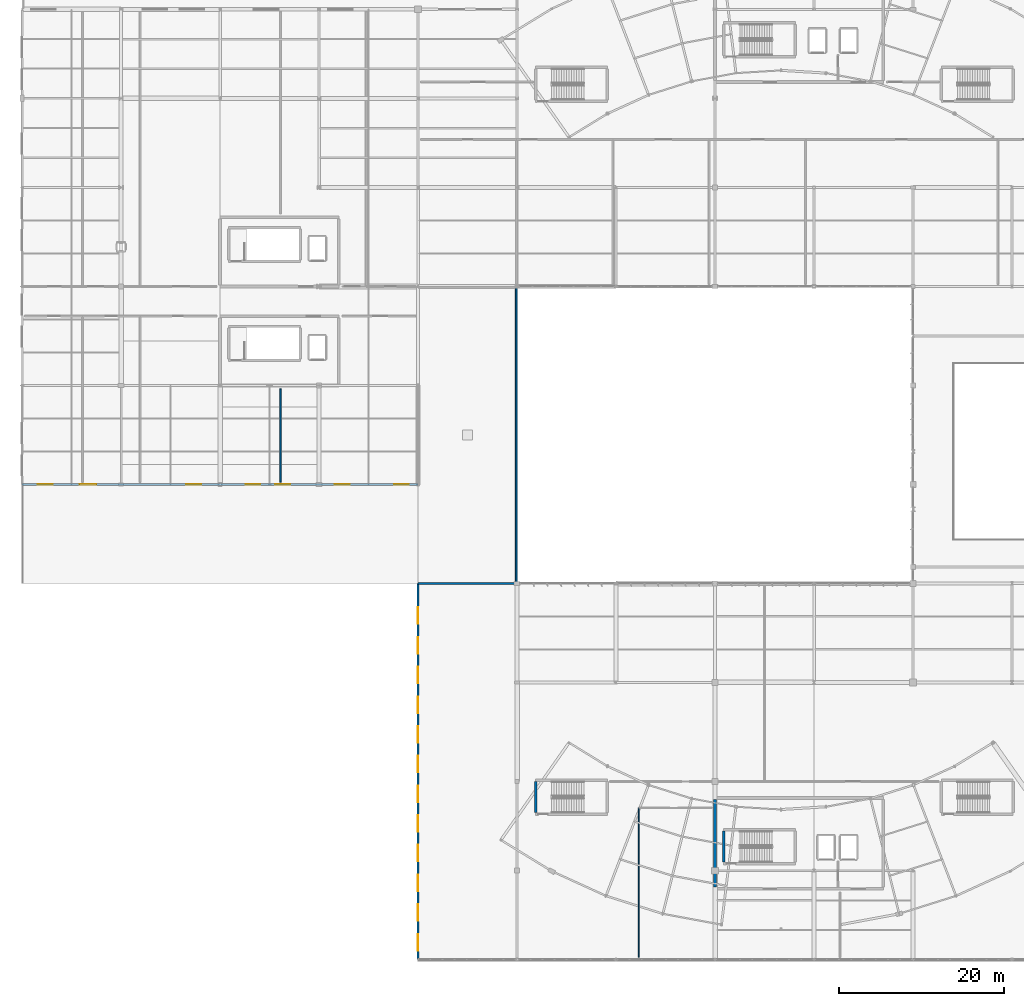
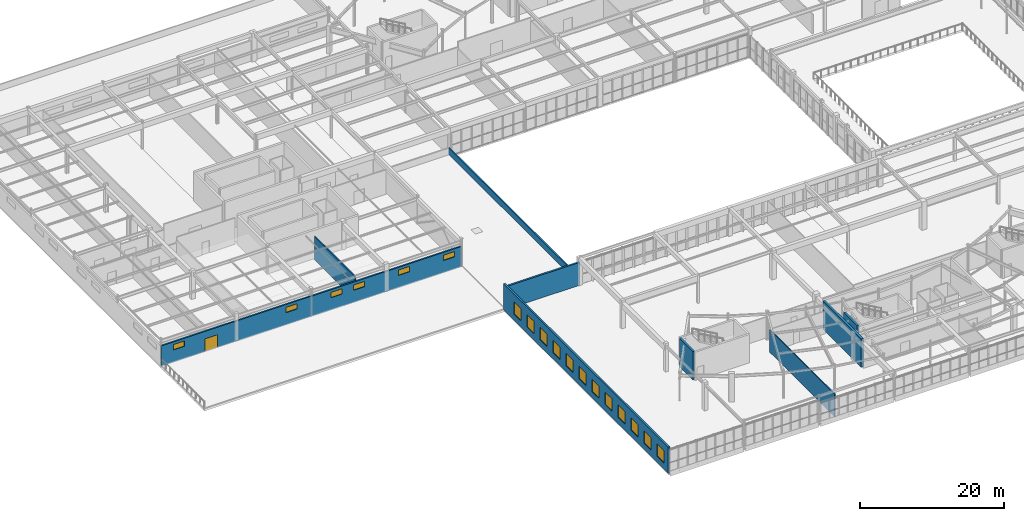
# One storey, part 155 of 186: 18 windows, 9 walls, 1 door, 19 openings.
"""IFC4 building model written with IfcOpenShell, lengths in metres."""

import ifcopenshell
import ifcopenshell.guid

model = None  # the IFC model being written
_history = None  # IfcOwnerHistory: only IFC2X3 demands one
_inside = {}  # id of a spatial element -> (the spatial element, [elements in it])
_under = {}  # id of a project, library or spatial element -> (it, [spatial elements below it])
_declared = {}  # id of a project -> (the project, [libraries it declares])
_typed = {}  # id of a type object -> (the type object, [elements of that type])
_made_of = {}  # id of a material, layer set ... -> (it, [elements and type objects made of it])


def new_model(schema):
    """Start an empty IFC model of exactly this schema.

    Asked for "IFC4X3", IfcOpenShell would pick the latest addendum, in which some entities
    have other attributes; the version numbers below select the first issue.
    IFC2X3 requires an IfcOwnerHistory on every rooted entity: one is made here for all.
    """
    global model, _history
    if schema == "IFC4X3":
        model = ifcopenshell.file(schema_version=(4, 3, 0, 0))
    else:
        model = ifcopenshell.file(schema=schema)
    _inside.clear()
    _under.clear()
    _declared.clear()
    _typed.clear()
    _made_of.clear()
    _history = None
    if model.schema == "IFC2X3":
        org = make("IfcOrganization", Name="unknown")
        user = make(
            "IfcPersonAndOrganization",
            ThePerson=make("IfcPerson", FamilyName="unknown"),
            TheOrganization=org,
        )
        app = make(
            "IfcApplication",
            ApplicationDeveloper=org,
            Version="unknown",
            ApplicationFullName="unknown",
            ApplicationIdentifier="unknown",
        )
        _history = make(
            "IfcOwnerHistory",
            OwningUser=user,
            OwningApplication=app,
            ChangeAction="ADDED",
            CreationDate=0,
        )
    return model


def make(cls, **values):
    """One entity of the class cls with the attributes given. An attribute that is None is left unset."""
    return model.create_entity(
        cls, **{name: value for name, value in values.items() if value is not None}
    )


def rooted(cls, **values):
    """An entity with a GlobalId (a new one), such as an element, a storey or a relation."""
    return make(cls, GlobalId=ifcopenshell.guid.new(), OwnerHistory=_history, **values)


def si_unit(unit_type, name, prefix=None):
    """IfcSIUnit, for example si_unit("LENGTHUNIT", "METRE", prefix="MILLI")."""
    return make("IfcSIUnit", UnitType=unit_type, Prefix=prefix, Name=name)


def assignment(units):
    """IfcUnitAssignment: the units of a project."""
    return None if units is None else make("IfcUnitAssignment", Units=units)


def point(xyz):
    """IfcCartesianPoint."""
    return None if xyz is None else make("IfcCartesianPoint", Coordinates=xyz)


def direction(xyz):
    """IfcDirection."""
    return None if xyz is None else make("IfcDirection", DirectionRatios=xyz)


def frame(location, z_axis=None, x_axis=None):
    """IfcAxis2Placement3D, a coordinate frame: its origin and axes. An axis left out is left unset."""
    return make(
        "IfcAxis2Placement3D",
        Location=point(location),
        Axis=direction(z_axis),
        RefDirection=direction(x_axis),
    )


def frame_2d(location, x_axis=None):
    """IfcAxis2Placement2D, a coordinate frame in the plane: its origin and x axis."""
    return make(
        "IfcAxis2Placement2D", Location=point(location), RefDirection=direction(x_axis)
    )


def origin():
    """The frame at (0, 0, 0) with its axes left unset."""
    return frame((0.0, 0.0, 0.0))


def place(relative_to, where):
    """IfcLocalPlacement: puts the frame where relative to a parent placement (None: the world)."""
    return make(
        "IfcLocalPlacement", PlacementRelTo=relative_to, RelativePlacement=where
    )


def context(
    kind, dimensions, precision=None, world=None, true_north=None, identifier=None
):
    """IfcGeometricRepresentationContext, for example the 3D "Model" context."""
    return make(
        "IfcGeometricRepresentationContext",
        ContextIdentifier=identifier,
        ContextType=kind,
        CoordinateSpaceDimension=dimensions,
        Precision=precision,
        WorldCoordinateSystem=world,
        TrueNorth=true_north,
    )


def subcontext(parent, identifier, kind, view, scale=None):
    """IfcGeometricRepresentationSubContext, for example "Body" below "Model"."""
    return make(
        "IfcGeometricRepresentationSubContext",
        ContextIdentifier=identifier,
        ContextType=kind,
        ParentContext=parent,
        TargetScale=scale,
        TargetView=view,
    )


def project(units=None, contexts=None):
    """IfcProject with its units and contexts."""
    return rooted(
        "IfcProject",
        Name="project",
        RepresentationContexts=contexts,
        UnitsInContext=assignment(units),
    )


def spatial(cls, under=None, at=None, **own):
    """A site, building, storey or space (cls), placed at a placement, below another one or the project."""
    s = rooted(cls, ObjectPlacement=at, **own)
    if under is not None:
        _under.setdefault(under.id(), (under, []))[1].append(s)
    return s


def profile(cls, at=None, kind="AREA", **sizes):
    """A parametric profile (cls). Its sizes go by their IFC names, for example OverallWidth=200.0."""
    return make(cls, ProfileType=kind, Position=at, **sizes)


def rectangle(**sizes):
    """IfcRectangleProfileDef."""
    return profile("IfcRectangleProfileDef", **sizes)


def extrude(swept, where, along, depth):
    """IfcExtrudedAreaSolid: the profile swept, set in the frame where, extruded along a direction by depth."""
    return make(
        "IfcExtrudedAreaSolid",
        SweptArea=swept,
        Position=where,
        ExtrudedDirection=direction(along),
        Depth=depth,
    )


def shape(context_of_items, identifier, shape_type, items):
    """IfcShapeRepresentation: the items that make up one representation, for example the "Body"."""
    return make(
        "IfcShapeRepresentation",
        ContextOfItems=context_of_items,
        RepresentationIdentifier=identifier,
        RepresentationType=shape_type,
        Items=items,
    )


def material(Name=None, Category=None):
    """IfcMaterial."""
    return make("IfcMaterial", Name=Name, Category=Category)


def layer(
    of_material, thickness, ventilated=None, Name=None, Category=None, Priority=None
):
    """IfcMaterialLayer: one layer of a wall or slab, of a material (None: an air gap)."""
    return make(
        "IfcMaterialLayer",
        Material=of_material,
        LayerThickness=thickness,
        IsVentilated=ventilated,
        Name=Name,
        Category=Category,
        Priority=Priority,
    )


def layer_set(layers, Name=None):
    """IfcMaterialLayerSet."""
    return make("IfcMaterialLayerSet", MaterialLayers=layers, LayerSetName=Name)


def made_of(thing, what):
    """Note that an element or type object is made of a material, layer set ...; save() writes the relation."""
    if what is not None:
        _made_of.setdefault(what.id(), (what, []))[1].append(thing)
    return thing


def type_object(cls, material=None, **own):
    """A type object (cls), such as IfcWallType, which elements share."""
    return made_of(rooted(cls, **own), material)


def element(
    cls,
    number,
    at=None,
    inside=None,
    cuts=None,
    type_object=None,
    material=None,
    context=None,
    identifier="Body",
    shape_type=None,
    held_by="IfcProductDefinitionShape",
    body=None,
    shapes=None,
    **own,
):
    """One element of the class cls, such as IfcWall. Its Tag is "e" and its number.

    at: its placement. inside: the storey or other place that contains it. cuts: it is an
    opening in that element (IfcRelVoidsElement). A single representation is given by context,
    identifier, shape_type and body (its items); several are given by shapes. held_by: the class
    of the entity that holds the representations. save() writes the other relations.
    """
    e = rooted(cls, Tag="e%d" % number, ObjectPlacement=at, **own)
    if body is not None:
        shapes = [shape(context, identifier, shape_type, body)]
    if shapes is not None:
        e.Representation = make(held_by, Representations=shapes)
    if inside is not None:
        _inside.setdefault(inside.id(), (inside, []))[1].append(e)
    if cuts is not None:
        rooted(
            "IfcRelVoidsElement", RelatingBuildingElement=cuts, RelatedOpeningElement=e
        )
    if type_object is not None:
        _typed.setdefault(type_object.id(), (type_object, []))[1].append(e)
    return made_of(e, material)


def fill(opening, filler):
    """IfcRelFillsElement: the door or window that sits in an opening."""
    return rooted(
        "IfcRelFillsElement",
        RelatingOpeningElement=opening,
        RelatedBuildingElement=filler,
    )


def aggregate(whole, parts):
    """IfcRelAggregates: a whole, such as a stair, and the parts it consists of."""
    return rooted("IfcRelAggregates", RelatingObject=whole, RelatedObjects=parts)


def save(model, path):
    """Write the relations noted so far, then the file.

    IfcRelAggregates (storeys below a building ...), IfcRelContainedInSpatialStructure (elements
    in a storey), IfcRelDefinesByType, IfcRelAssociatesMaterial and IfcRelDeclares: one each for
    every whole, place, type object, material and project.
    """
    for whole, parts in _under.values():
        aggregate(whole, parts)
    for where, things in _inside.values():
        rooted(
            "IfcRelContainedInSpatialStructure",
            RelatedElements=things,
            RelatingStructure=where,
        )
    for kind, things in _typed.values():
        rooted("IfcRelDefinesByType", RelatedObjects=things, RelatingType=kind)
    for what, things in _made_of.values():
        rooted("IfcRelAssociatesMaterial", RelatedObjects=things, RelatingMaterial=what)
    for by, libraries in _declared.values():
        rooted("IfcRelDeclares", RelatingContext=by, RelatedDefinitions=libraries)
    model.write(path)


model = new_model("IFC4")

# Units and contexts
model_context = context("Model", 3, precision=1e-05, world=origin(), true_north=direction((0.0, 1.0)))
body_context = subcontext(model_context, "Body", "Model", "MODEL_VIEW")
ifc_project = project(units=[si_unit("LENGTHUNIT", "METRE"), si_unit("AREAUNIT", "SQUARE_METRE"), si_unit("VOLUMEUNIT", "CUBIC_METRE"), si_unit("PLANEANGLEUNIT", "RADIAN"), si_unit("MASSUNIT", "GRAM", prefix="KILO")], contexts=[model_context])

# Site, building, storey
site_placement = place(None, origin())
site = spatial("IfcSite", under=ifc_project, at=site_placement, CompositionType="ELEMENT")
building_placement = place(site_placement, origin())
building = spatial("IfcBuilding", under=site, at=building_placement, Name="Tarnwether General Hospital", CompositionType="ELEMENT")
storey_placement = place(building_placement, frame((0.0, 0.0, 9.60009765625)))
storey = spatial("IfcBuildingStorey", under=building, at=storey_placement, Name="L02", CompositionType="ELEMENT", Elevation=9.60009765625)

# Wall, openings, door, windows
ifc_material_1 = material(Name="Folded zinc-titanium cladding")
ifc_layer_1 = layer(ifc_material_1, 0.239990234375)
ifc_layer_set_1 = layer_set([ifc_layer_1], Name="Folded zinc-titanium cladding")
wall_type_1 = type_object("IfcWallType", Name="WL-EX240", PredefinedType="STANDARD", material=ifc_layer_set_1)
wall_1_placement = place(storey_placement, frame((48.0, 57.60009765625, 0.0), z_axis=(0.0, 0.0, 1.0), x_axis=(-1.0, 0.0, 0.0)))
wall_1 = element("IfcWall", 1, at=wall_1_placement, inside=storey, type_object=wall_type_1, Name="L02 Operating Suite South Garden Wall EW-L02-0313", PredefinedType="STANDARD", context=body_context, shape_type="SweptSolid", body=[
    extrude(rectangle(XDim=48.0, YDim=0.239990234375, at=frame_2d((24.0, 0.0))), origin(), (0.0, 0.0, 1.0), 3.46484375),
])
opening_1_placement = place(wall_1_placement, frame((39.0, 0.0, 0.0)))
opening_1 = element("IfcOpeningElement", 2, at=opening_1_placement, cuts=wall_1, Name="Opening ED-04", PredefinedType="OPENING", context=body_context, shape_type="SweptSolid", body=[
    extrude(rectangle(XDim=2.02001953125, YDim=2.199951171875, at=frame_2d((1.010009765625, 1.10009765625))), frame((0.0, 0.1298828125, 0.0), z_axis=(0.0, -1.0, 0.0), x_axis=(1.0, 0.0, 0.0)), (0.0, 0.0, 1.0), 0.260009765625),
])
opening_2_placement = place(wall_1_placement, frame((1.10009765625, 0.0, 2.10009765625)))
opening_2 = element("IfcOpeningElement", 3, at=opening_2_placement, cuts=wall_1, Name="Opening W-18", PredefinedType="OPENING", context=body_context, shape_type="SweptSolid", body=[
    extrude(rectangle(XDim=1.800048828125, YDim=0.89990234375, at=frame_2d((0.89990234375, 0.449951171875))), frame((0.0, 0.1298828125, 0.0), z_axis=(0.0, -1.0, 0.0), x_axis=(1.0, 0.0, 0.0)), (0.0, 0.0, 1.0), 0.260009765625),
])
opening_3_placement = place(wall_1_placement, frame((8.300048828125, 0.0, 2.10009765625)))
opening_3 = element("IfcOpeningElement", 4, at=opening_3_placement, cuts=wall_1, Name="Opening W-18", PredefinedType="OPENING", context=body_context, shape_type="SweptSolid", body=[
    extrude(rectangle(XDim=1.800048828125, YDim=0.89990234375, at=frame_2d((0.89990234375, 0.449951171875))), frame((0.0, 0.1298828125, 0.0), z_axis=(0.0, -1.0, 0.0), x_axis=(1.0, 0.0, 0.0)), (0.0, 0.0, 1.0), 0.260009765625),
])
opening_4_placement = place(wall_1_placement, frame((15.5, 0.0, 2.10009765625)))
opening_4 = element("IfcOpeningElement", 5, at=opening_4_placement, cuts=wall_1, Name="Opening W-18", PredefinedType="OPENING", context=body_context, shape_type="SweptSolid", body=[
    extrude(rectangle(XDim=1.800048828125, YDim=0.89990234375, at=frame_2d((0.89990234375, 0.449951171875))), frame((0.0, 0.1298828125, 0.0), z_axis=(0.0, -1.0, 0.0), x_axis=(1.0, 0.0, 0.0)), (0.0, 0.0, 1.0), 0.260009765625),
])
opening_5_placement = place(wall_1_placement, frame((19.10009765625, 0.0, 2.10009765625)))
opening_5 = element("IfcOpeningElement", 6, at=opening_5_placement, cuts=wall_1, Name="Opening W-18", PredefinedType="OPENING", context=body_context, shape_type="SweptSolid", body=[
    extrude(rectangle(XDim=1.800048828125, YDim=0.89990234375, at=frame_2d((0.89990234375, 0.449951171875))), frame((0.0, 0.1298828125, 0.0), z_axis=(0.0, -1.0, 0.0), x_axis=(1.0, 0.0, 0.0)), (0.0, 0.0, 1.0), 0.260009765625),
])
opening_6_placement = place(wall_1_placement, frame((26.300048828125, 0.0, 2.10009765625)))
opening_6 = element("IfcOpeningElement", 7, at=opening_6_placement, cuts=wall_1, Name="Opening W-18", PredefinedType="OPENING", context=body_context, shape_type="SweptSolid", body=[
    extrude(rectangle(XDim=1.800048828125, YDim=0.89990234375, at=frame_2d((0.89990234375, 0.449951171875))), frame((0.0, 0.1298828125, 0.0), z_axis=(0.0, -1.0, 0.0), x_axis=(1.0, 0.0, 0.0)), (0.0, 0.0, 1.0), 0.260009765625),
])
opening_7_placement = place(wall_1_placement, frame((44.300048828125, 0.0, 2.10009765625)))
opening_7 = element("IfcOpeningElement", 8, at=opening_7_placement, cuts=wall_1, Name="Opening W-18", PredefinedType="OPENING", context=body_context, shape_type="SweptSolid", body=[
    extrude(rectangle(XDim=1.800048828125, YDim=0.89990234375, at=frame_2d((0.89990234375, 0.449951171875))), frame((0.0, 0.1298828125, 0.0), z_axis=(0.0, -1.0, 0.0), x_axis=(1.0, 0.0, 0.0)), (0.0, 0.0, 1.0), 0.260009765625),
])
ifc_material_2 = material(Name="Anodised aluminium", Category="aluminium")
door_type = type_object("IfcDoorType", Name="DR-EX04", OperationType="NOTDEFINED", PredefinedType="DOOR", material=ifc_material_2)
door_placement = place(opening_1_placement, origin())
door = element("IfcDoor", 9, at=door_placement, inside=storey, type_object=door_type, Name="L02 West Healing Roof Garden Door ED-L02-0041", OperationType="DOUBLE_DOOR_SINGLE_SWING", OverallHeight=2.199951171875, OverallWidth=2.02001953125, PredefinedType="DOOR", context=body_context, shape_type="SweptSolid", body=[
    extrude(rectangle(XDim=2.02001953125, YDim=2.199951171875, at=frame_2d((1.010009765625, 1.10009765625))), frame((0.0, 0.02490234375, 0.0), z_axis=(0.0, -1.0, 0.0), x_axis=(1.0, 0.0, 0.0)), (0.0, 0.0, 1.0), 0.050048828125),
])
fill(opening_1, door)
ifc_material_3 = material(Name="Double glazed low-E glass", Category="glass")
window_type_1 = type_object("IfcWindowType", Name="WN-18", PartitioningType="DOUBLE_PANEL_HORIZONTAL", PredefinedType="WINDOW", material=ifc_material_3)
window_1_placement = place(opening_2_placement, origin())
window_1 = element("IfcWindow", 10, at=window_1_placement, inside=storey, type_object=window_type_1, Name="Window WN-L02-0107", OverallHeight=0.89990234375, OverallWidth=1.800048828125, PartitioningType="DOUBLE_PANEL_HORIZONTAL", PredefinedType="WINDOW", context=body_context, shape_type="SweptSolid", body=[
    extrude(rectangle(XDim=1.800048828125, YDim=0.89990234375, at=frame_2d((0.89990234375, 0.449951171875))), frame((0.0, 0.030029296875, 0.0), z_axis=(0.0, -1.0, 0.0), x_axis=(1.0, 0.0, 0.0)), (0.0, 0.0, 1.0), 0.06005859375),
])
fill(opening_2, window_1)
window_2_placement = place(opening_3_placement, origin())
window_2 = element("IfcWindow", 11, at=window_2_placement, inside=storey, type_object=window_type_1, Name="Window WN-L02-0108", OverallHeight=0.89990234375, OverallWidth=1.800048828125, PartitioningType="DOUBLE_PANEL_HORIZONTAL", PredefinedType="WINDOW", context=body_context, shape_type="SweptSolid", body=[
    extrude(rectangle(XDim=1.800048828125, YDim=0.89990234375, at=frame_2d((0.89990234375, 0.449951171875))), frame((0.0, 0.030029296875, 0.0), z_axis=(0.0, -1.0, 0.0), x_axis=(1.0, 0.0, 0.0)), (0.0, 0.0, 1.0), 0.06005859375),
])
fill(opening_3, window_2)
window_3_placement = place(opening_4_placement, origin())
window_3 = element("IfcWindow", 12, at=window_3_placement, inside=storey, type_object=window_type_1, Name="Window WN-L02-0109", OverallHeight=0.89990234375, OverallWidth=1.800048828125, PartitioningType="DOUBLE_PANEL_HORIZONTAL", PredefinedType="WINDOW", context=body_context, shape_type="SweptSolid", body=[
    extrude(rectangle(XDim=1.800048828125, YDim=0.89990234375, at=frame_2d((0.89990234375, 0.449951171875))), frame((0.0, 0.030029296875, 0.0), z_axis=(0.0, -1.0, 0.0), x_axis=(1.0, 0.0, 0.0)), (0.0, 0.0, 1.0), 0.06005859375),
])
fill(opening_4, window_3)
window_4_placement = place(opening_5_placement, origin())
window_4 = element("IfcWindow", 13, at=window_4_placement, inside=storey, type_object=window_type_1, Name="Window WN-L02-0110", OverallHeight=0.89990234375, OverallWidth=1.800048828125, PartitioningType="DOUBLE_PANEL_HORIZONTAL", PredefinedType="WINDOW", context=body_context, shape_type="SweptSolid", body=[
    extrude(rectangle(XDim=1.800048828125, YDim=0.89990234375, at=frame_2d((0.89990234375, 0.449951171875))), frame((0.0, 0.030029296875, 0.0), z_axis=(0.0, -1.0, 0.0), x_axis=(1.0, 0.0, 0.0)), (0.0, 0.0, 1.0), 0.06005859375),
])
fill(opening_5, window_4)
window_5_placement = place(opening_6_placement, origin())
window_5 = element("IfcWindow", 14, at=window_5_placement, inside=storey, type_object=window_type_1, Name="Window WN-L02-0111", OverallHeight=0.89990234375, OverallWidth=1.800048828125, PartitioningType="DOUBLE_PANEL_HORIZONTAL", PredefinedType="WINDOW", context=body_context, shape_type="SweptSolid", body=[
    extrude(rectangle(XDim=1.800048828125, YDim=0.89990234375, at=frame_2d((0.89990234375, 0.449951171875))), frame((0.0, 0.030029296875, 0.0), z_axis=(0.0, -1.0, 0.0), x_axis=(1.0, 0.0, 0.0)), (0.0, 0.0, 1.0), 0.06005859375),
])
fill(opening_6, window_5)
window_6_placement = place(opening_7_placement, origin())
window_6 = element("IfcWindow", 15, at=window_6_placement, inside=storey, type_object=window_type_1, Name="Window WN-L02-0112", OverallHeight=0.89990234375, OverallWidth=1.800048828125, PartitioningType="DOUBLE_PANEL_HORIZONTAL", PredefinedType="WINDOW", context=body_context, shape_type="SweptSolid", body=[
    extrude(rectangle(XDim=1.800048828125, YDim=0.89990234375, at=frame_2d((0.89990234375, 0.449951171875))), frame((0.0, 0.030029296875, 0.0), z_axis=(0.0, -1.0, 0.0), x_axis=(1.0, 0.0, 0.0)), (0.0, 0.0, 1.0), 0.06005859375),
])
fill(opening_7, window_6)

# Wall, openings, windows
ifc_material_4 = material(Name="Precast concrete 40 MPa", Category="concrete")
ifc_layer_2 = layer(ifc_material_4, 0.280029296875)
ifc_layer_set_2 = layer_set([ifc_layer_2], Name="Precast concrete 40 MPa")
wall_type_2 = type_object("IfcWallType", Name="WL-EX280", PredefinedType="STANDARD", material=ifc_layer_set_2)
wall_2_placement = place(storey_placement, frame((48.0, 0.0, 0.0), z_axis=(0.0, 0.0, 1.0), x_axis=(0.0, 1.0, 0.0)))
wall_2 = element("IfcWall", 16, at=wall_2_placement, inside=storey, type_object=wall_type_2, Name="L02 PACU West Exterior Wall EW-L02-0317", PredefinedType="STANDARD", context=body_context, shape_type="SweptSolid", body=[
    extrude(rectangle(XDim=45.60009765625, YDim=0.280029296875, at=frame_2d((22.800048828125, 0.0))), origin(), (0.0, 0.0, 1.0), 4.429931640625),
])
opening_8_placement = place(wall_2_placement, frame((1.10009765625, 0.0, 1.050048828125)))
opening_8 = element("IfcOpeningElement", 17, at=opening_8_placement, cuts=wall_2, Name="Opening W-14", PredefinedType="OPENING", context=body_context, shape_type="SweptSolid", body=[
    extrude(rectangle(XDim=2.0, YDim=2.10009765625, at=frame_2d((1.0, 1.050048828125))), frame((0.0, 0.14990234375, 0.0), z_axis=(0.0, -1.0, 0.0), x_axis=(1.0, 0.0, 0.0)), (0.0, 0.0, 1.0), 0.300048828125),
])
opening_9_placement = place(wall_2_placement, frame((4.699951171875, 0.0, 1.050048828125)))
opening_9 = element("IfcOpeningElement", 18, at=opening_9_placement, cuts=wall_2, Name="Opening W-14", PredefinedType="OPENING", context=body_context, shape_type="SweptSolid", body=[
    extrude(rectangle(XDim=2.0, YDim=2.10009765625, at=frame_2d((1.0, 1.050048828125))), frame((0.0, 0.14990234375, 0.0), z_axis=(0.0, -1.0, 0.0), x_axis=(1.0, 0.0, 0.0)), (0.0, 0.0, 1.0), 0.300048828125),
])
opening_10_placement = place(wall_2_placement, frame((8.300048828125, 0.0, 1.050048828125)))
opening_10 = element("IfcOpeningElement", 19, at=opening_10_placement, cuts=wall_2, Name="Opening W-14", PredefinedType="OPENING", context=body_context, shape_type="SweptSolid", body=[
    extrude(rectangle(XDim=2.0, YDim=2.10009765625, at=frame_2d((1.0, 1.050048828125))), frame((0.0, 0.14990234375, 0.0), z_axis=(0.0, -1.0, 0.0), x_axis=(1.0, 0.0, 0.0)), (0.0, 0.0, 1.0), 0.300048828125),
])
opening_11_placement = place(wall_2_placement, frame((11.89990234375, 0.0, 1.050048828125)))
opening_11 = element("IfcOpeningElement", 20, at=opening_11_placement, cuts=wall_2, Name="Opening W-14", PredefinedType="OPENING", context=body_context, shape_type="SweptSolid", body=[
    extrude(rectangle(XDim=2.0, YDim=2.10009765625, at=frame_2d((1.0, 1.050048828125))), frame((0.0, 0.14990234375, 0.0), z_axis=(0.0, -1.0, 0.0), x_axis=(1.0, 0.0, 0.0)), (0.0, 0.0, 1.0), 0.300048828125),
])
opening_12_placement = place(wall_2_placement, frame((15.5, 0.0, 1.050048828125)))
opening_12 = element("IfcOpeningElement", 21, at=opening_12_placement, cuts=wall_2, Name="Opening W-14", PredefinedType="OPENING", context=body_context, shape_type="SweptSolid", body=[
    extrude(rectangle(XDim=2.0, YDim=2.10009765625, at=frame_2d((1.0, 1.050048828125))), frame((0.0, 0.14990234375, 0.0), z_axis=(0.0, -1.0, 0.0), x_axis=(1.0, 0.0, 0.0)), (0.0, 0.0, 1.0), 0.300048828125),
])
opening_13_placement = place(wall_2_placement, frame((19.10009765625, 0.0, 1.050048828125)))
opening_13 = element("IfcOpeningElement", 22, at=opening_13_placement, cuts=wall_2, Name="Opening W-14", PredefinedType="OPENING", context=body_context, shape_type="SweptSolid", body=[
    extrude(rectangle(XDim=2.0, YDim=2.10009765625, at=frame_2d((1.0, 1.050048828125))), frame((0.0, 0.14990234375, 0.0), z_axis=(0.0, -1.0, 0.0), x_axis=(1.0, 0.0, 0.0)), (0.0, 0.0, 1.0), 0.300048828125),
])
opening_14_placement = place(wall_2_placement, frame((22.699951171875, 0.0, 1.050048828125)))
opening_14 = element("IfcOpeningElement", 23, at=opening_14_placement, cuts=wall_2, Name="Opening W-14", PredefinedType="OPENING", context=body_context, shape_type="SweptSolid", body=[
    extrude(rectangle(XDim=2.0, YDim=2.10009765625, at=frame_2d((1.0, 1.050048828125))), frame((0.0, 0.14990234375, 0.0), z_axis=(0.0, -1.0, 0.0), x_axis=(1.0, 0.0, 0.0)), (0.0, 0.0, 1.0), 0.300048828125),
])
opening_15_placement = place(wall_2_placement, frame((26.300048828125, 0.0, 1.050048828125)))
opening_15 = element("IfcOpeningElement", 24, at=opening_15_placement, cuts=wall_2, Name="Opening W-14", PredefinedType="OPENING", context=body_context, shape_type="SweptSolid", body=[
    extrude(rectangle(XDim=2.0, YDim=2.10009765625, at=frame_2d((1.0, 1.050048828125))), frame((0.0, 0.14990234375, 0.0), z_axis=(0.0, -1.0, 0.0), x_axis=(1.0, 0.0, 0.0)), (0.0, 0.0, 1.0), 0.300048828125),
])
opening_16_placement = place(wall_2_placement, frame((29.89990234375, 0.0, 1.050048828125)))
opening_16 = element("IfcOpeningElement", 25, at=opening_16_placement, cuts=wall_2, Name="Opening W-14", PredefinedType="OPENING", context=body_context, shape_type="SweptSolid", body=[
    extrude(rectangle(XDim=2.0, YDim=2.10009765625, at=frame_2d((1.0, 1.050048828125))), frame((0.0, 0.14990234375, 0.0), z_axis=(0.0, -1.0, 0.0), x_axis=(1.0, 0.0, 0.0)), (0.0, 0.0, 1.0), 0.300048828125),
])
opening_17_placement = place(wall_2_placement, frame((33.5, 0.0, 1.050048828125)))
opening_17 = element("IfcOpeningElement", 26, at=opening_17_placement, cuts=wall_2, Name="Opening W-14", PredefinedType="OPENING", context=body_context, shape_type="SweptSolid", body=[
    extrude(rectangle(XDim=2.0, YDim=2.10009765625, at=frame_2d((1.0, 1.050048828125))), frame((0.0, 0.14990234375, 0.0), z_axis=(0.0, -1.0, 0.0), x_axis=(1.0, 0.0, 0.0)), (0.0, 0.0, 1.0), 0.300048828125),
])
opening_18_placement = place(wall_2_placement, frame((37.10009765625, 0.0, 1.050048828125)))
opening_18 = element("IfcOpeningElement", 27, at=opening_18_placement, cuts=wall_2, Name="Opening W-14", PredefinedType="OPENING", context=body_context, shape_type="SweptSolid", body=[
    extrude(rectangle(XDim=2.0, YDim=2.10009765625, at=frame_2d((1.0, 1.050048828125))), frame((0.0, 0.14990234375, 0.0), z_axis=(0.0, -1.0, 0.0), x_axis=(1.0, 0.0, 0.0)), (0.0, 0.0, 1.0), 0.300048828125),
])
opening_19_placement = place(wall_2_placement, frame((40.699951171875, 0.0, 1.050048828125)))
opening_19 = element("IfcOpeningElement", 28, at=opening_19_placement, cuts=wall_2, Name="Opening W-14", PredefinedType="OPENING", context=body_context, shape_type="SweptSolid", body=[
    extrude(rectangle(XDim=2.0, YDim=2.10009765625, at=frame_2d((1.0, 1.050048828125))), frame((0.0, 0.14990234375, 0.0), z_axis=(0.0, -1.0, 0.0), x_axis=(1.0, 0.0, 0.0)), (0.0, 0.0, 1.0), 0.300048828125),
])
ifc_material_5 = material(Name="Double glazed low-E glass", Category="glass")
window_type_2 = type_object("IfcWindowType", Name="WN-14", PartitioningType="DOUBLE_PANEL_VERTICAL", PredefinedType="WINDOW", material=ifc_material_5)
window_7_placement = place(opening_8_placement, origin())
window_7 = element("IfcWindow", 29, at=window_7_placement, inside=storey, type_object=window_type_2, Name="Window WN-L02-0129", OverallHeight=2.10009765625, OverallWidth=2.0, PartitioningType="DOUBLE_PANEL_VERTICAL", PredefinedType="WINDOW", context=body_context, shape_type="SweptSolid", body=[
    extrude(rectangle(XDim=2.0, YDim=2.10009765625, at=frame_2d((1.0, 1.050048828125))), frame((0.0, 0.030029296875, 0.0), z_axis=(0.0, -1.0, 0.0), x_axis=(1.0, 0.0, 0.0)), (0.0, 0.0, 1.0), 0.06005859375),
])
fill(opening_8, window_7)
window_8_placement = place(opening_9_placement, origin())
window_8 = element("IfcWindow", 30, at=window_8_placement, inside=storey, type_object=window_type_2, Name="Window WN-L02-0130", OverallHeight=2.10009765625, OverallWidth=2.0, PartitioningType="DOUBLE_PANEL_VERTICAL", PredefinedType="WINDOW", context=body_context, shape_type="SweptSolid", body=[
    extrude(rectangle(XDim=2.0, YDim=2.10009765625, at=frame_2d((1.0, 1.050048828125))), frame((0.0, 0.030029296875, 0.0), z_axis=(0.0, -1.0, 0.0), x_axis=(1.0, 0.0, 0.0)), (0.0, 0.0, 1.0), 0.06005859375),
])
fill(opening_9, window_8)
window_9_placement = place(opening_10_placement, origin())
window_9 = element("IfcWindow", 31, at=window_9_placement, inside=storey, type_object=window_type_2, Name="Window WN-L02-0131", OverallHeight=2.10009765625, OverallWidth=2.0, PartitioningType="DOUBLE_PANEL_VERTICAL", PredefinedType="WINDOW", context=body_context, shape_type="SweptSolid", body=[
    extrude(rectangle(XDim=2.0, YDim=2.10009765625, at=frame_2d((1.0, 1.050048828125))), frame((0.0, 0.030029296875, 0.0), z_axis=(0.0, -1.0, 0.0), x_axis=(1.0, 0.0, 0.0)), (0.0, 0.0, 1.0), 0.06005859375),
])
fill(opening_10, window_9)
window_10_placement = place(opening_11_placement, origin())
window_10 = element("IfcWindow", 32, at=window_10_placement, inside=storey, type_object=window_type_2, Name="Window WN-L02-0132", OverallHeight=2.10009765625, OverallWidth=2.0, PartitioningType="DOUBLE_PANEL_VERTICAL", PredefinedType="WINDOW", context=body_context, shape_type="SweptSolid", body=[
    extrude(rectangle(XDim=2.0, YDim=2.10009765625, at=frame_2d((1.0, 1.050048828125))), frame((0.0, 0.030029296875, 0.0), z_axis=(0.0, -1.0, 0.0), x_axis=(1.0, 0.0, 0.0)), (0.0, 0.0, 1.0), 0.06005859375),
])
fill(opening_11, window_10)
window_11_placement = place(opening_12_placement, origin())
window_11 = element("IfcWindow", 33, at=window_11_placement, inside=storey, type_object=window_type_2, Name="Window WN-L02-0133", OverallHeight=2.10009765625, OverallWidth=2.0, PartitioningType="DOUBLE_PANEL_VERTICAL", PredefinedType="WINDOW", context=body_context, shape_type="SweptSolid", body=[
    extrude(rectangle(XDim=2.0, YDim=2.10009765625, at=frame_2d((1.0, 1.050048828125))), frame((0.0, 0.030029296875, 0.0), z_axis=(0.0, -1.0, 0.0), x_axis=(1.0, 0.0, 0.0)), (0.0, 0.0, 1.0), 0.06005859375),
])
fill(opening_12, window_11)
window_12_placement = place(opening_13_placement, origin())
window_12 = element("IfcWindow", 34, at=window_12_placement, inside=storey, type_object=window_type_2, Name="Window WN-L02-0134", OverallHeight=2.10009765625, OverallWidth=2.0, PartitioningType="DOUBLE_PANEL_VERTICAL", PredefinedType="WINDOW", context=body_context, shape_type="SweptSolid", body=[
    extrude(rectangle(XDim=2.0, YDim=2.10009765625, at=frame_2d((1.0, 1.050048828125))), frame((0.0, 0.030029296875, 0.0), z_axis=(0.0, -1.0, 0.0), x_axis=(1.0, 0.0, 0.0)), (0.0, 0.0, 1.0), 0.06005859375),
])
fill(opening_13, window_12)
window_13_placement = place(opening_14_placement, origin())
window_13 = element("IfcWindow", 35, at=window_13_placement, inside=storey, type_object=window_type_2, Name="Window WN-L02-0135", OverallHeight=2.10009765625, OverallWidth=2.0, PartitioningType="DOUBLE_PANEL_VERTICAL", PredefinedType="WINDOW", context=body_context, shape_type="SweptSolid", body=[
    extrude(rectangle(XDim=2.0, YDim=2.10009765625, at=frame_2d((1.0, 1.050048828125))), frame((0.0, 0.030029296875, 0.0), z_axis=(0.0, -1.0, 0.0), x_axis=(1.0, 0.0, 0.0)), (0.0, 0.0, 1.0), 0.06005859375),
])
fill(opening_14, window_13)
window_14_placement = place(opening_15_placement, origin())
window_14 = element("IfcWindow", 36, at=window_14_placement, inside=storey, type_object=window_type_2, Name="Window WN-L02-0136", OverallHeight=2.10009765625, OverallWidth=2.0, PartitioningType="DOUBLE_PANEL_VERTICAL", PredefinedType="WINDOW", context=body_context, shape_type="SweptSolid", body=[
    extrude(rectangle(XDim=2.0, YDim=2.10009765625, at=frame_2d((1.0, 1.050048828125))), frame((0.0, 0.030029296875, 0.0), z_axis=(0.0, -1.0, 0.0), x_axis=(1.0, 0.0, 0.0)), (0.0, 0.0, 1.0), 0.06005859375),
])
fill(opening_15, window_14)
window_15_placement = place(opening_16_placement, origin())
window_15 = element("IfcWindow", 37, at=window_15_placement, inside=storey, type_object=window_type_2, Name="Window WN-L02-0137", OverallHeight=2.10009765625, OverallWidth=2.0, PartitioningType="DOUBLE_PANEL_VERTICAL", PredefinedType="WINDOW", context=body_context, shape_type="SweptSolid", body=[
    extrude(rectangle(XDim=2.0, YDim=2.10009765625, at=frame_2d((1.0, 1.050048828125))), frame((0.0, 0.030029296875, 0.0), z_axis=(0.0, -1.0, 0.0), x_axis=(1.0, 0.0, 0.0)), (0.0, 0.0, 1.0), 0.06005859375),
])
fill(opening_16, window_15)
window_16_placement = place(opening_17_placement, origin())
window_16 = element("IfcWindow", 38, at=window_16_placement, inside=storey, type_object=window_type_2, Name="Window WN-L02-0138", OverallHeight=2.10009765625, OverallWidth=2.0, PartitioningType="DOUBLE_PANEL_VERTICAL", PredefinedType="WINDOW", context=body_context, shape_type="SweptSolid", body=[
    extrude(rectangle(XDim=2.0, YDim=2.10009765625, at=frame_2d((1.0, 1.050048828125))), frame((0.0, 0.030029296875, 0.0), z_axis=(0.0, -1.0, 0.0), x_axis=(1.0, 0.0, 0.0)), (0.0, 0.0, 1.0), 0.06005859375),
])
fill(opening_17, window_16)
window_17_placement = place(opening_18_placement, origin())
window_17 = element("IfcWindow", 39, at=window_17_placement, inside=storey, type_object=window_type_2, Name="Window WN-L02-0139", OverallHeight=2.10009765625, OverallWidth=2.0, PartitioningType="DOUBLE_PANEL_VERTICAL", PredefinedType="WINDOW", context=body_context, shape_type="SweptSolid", body=[
    extrude(rectangle(XDim=2.0, YDim=2.10009765625, at=frame_2d((1.0, 1.050048828125))), frame((0.0, 0.030029296875, 0.0), z_axis=(0.0, -1.0, 0.0), x_axis=(1.0, 0.0, 0.0)), (0.0, 0.0, 1.0), 0.06005859375),
])
fill(opening_18, window_17)
window_18_placement = place(opening_19_placement, origin())
window_18 = element("IfcWindow", 40, at=window_18_placement, inside=storey, type_object=window_type_2, Name="Window WN-L02-0140", OverallHeight=2.10009765625, OverallWidth=2.0, PartitioningType="DOUBLE_PANEL_VERTICAL", PredefinedType="WINDOW", context=body_context, shape_type="SweptSolid", body=[
    extrude(rectangle(XDim=2.0, YDim=2.10009765625, at=frame_2d((1.0, 1.050048828125))), frame((0.0, 0.030029296875, 0.0), z_axis=(0.0, -1.0, 0.0), x_axis=(1.0, 0.0, 0.0)), (0.0, 0.0, 1.0), 0.06005859375),
])
fill(opening_19, window_18)

# Walls
wall_3_placement = place(storey_placement, frame((60.0, 45.60009765625, 0.0), z_axis=(0.0, 0.0, 1.0), x_axis=(-1.0, 0.0, 0.0)))
element("IfcWall", 41, at=wall_3_placement, inside=storey, type_object=wall_type_2, Name="L02 PACU North Garden Step Wall EW-L02-0318", PredefinedType="STANDARD", context=body_context, shape_type="SweptSolid", body=[
    extrude(rectangle(XDim=12.0, YDim=0.280029296875, at=frame_2d((6.0, 0.0))), origin(), (0.0, 0.0, 1.0), 3.885009765625),
])
ifc_material_6 = material(Name="Precast concrete 40 MPa", Category="concrete")
ifc_layer_3 = layer(ifc_material_6, 0.199951171875)
ifc_layer_set_3 = layer_set([ifc_layer_3], Name="Precast concrete 40 MPa")
wall_type_3 = type_object("IfcWallType", Name="WL-PR200", PredefinedType="PARAPET", material=ifc_layer_set_3)
wall_4_placement = place(storey_placement, frame((59.89990234375, 81.5, 0.329833984375), z_axis=(0.0, 0.0, 1.0), x_axis=(0.0, -1.0, 0.0)))
element("IfcWall", 42, at=wall_4_placement, inside=storey, type_object=wall_type_3, Name="Flat Roof Parapet EW-L02-0348", PredefinedType="PARAPET", context=body_context, shape_type="SweptSolid", body=[
    extrude(rectangle(XDim=35.800048828125, YDim=0.199951171875, at=frame_2d((17.89990234375, 0.0))), origin(), (0.0, 0.0, 1.0), 1.1201171875),
])
ifc_material_7 = material(Name="Gypsum plasterboard")
ifc_layer_4 = layer(ifc_material_7, 0.139892578125)
ifc_layer_set_4 = layer_set([ifc_layer_4], Name="Gypsum plasterboard")
wall_type_4 = type_object("IfcWallType", Name="WL-PT140", PredefinedType="PARTITIONING", material=ifc_layer_set_4)
wall_5_placement = place(storey_placement, frame((74.743896484375, 0.300048828125, 0.0), z_axis=(0.0, 0.0, 1.0), x_axis=(0.0, 1.0, 0.0)))
element("IfcWall", 43, at=wall_5_placement, inside=storey, type_object=wall_type_4, Name="Interior Partition PT-L02-0270", PredefinedType="PARTITIONING", context=body_context, shape_type="SweptSolid", body=[
    extrude(rectangle(XDim=18.099853515625, YDim=0.139892578125, at=frame_2d((9.0498046875, 0.0))), origin(), (0.0, 0.0, 1.0), 3.802978515625),
])
ifc_material_8 = material(Name="Gypsum plasterboard")
ifc_layer_5 = layer(ifc_material_8, 0.179931640625)
ifc_layer_set_5 = layer_set([ifc_layer_5], Name="Gypsum plasterboard")
wall_type_5 = type_object("IfcWallType", Name="WL-PT180", PredefinedType="PARTITIONING", material=ifc_layer_set_5)
wall_6_placement = place(storey_placement, frame((31.300048828125, 57.89990234375, 0.0), z_axis=(0.0, 0.0, 1.0), x_axis=(0.0, 1.0, 0.0)))
element("IfcWall", 44, at=wall_6_placement, inside=storey, type_object=wall_type_5, Name="Interior Partition PT-L02-0245", PredefinedType="PARTITIONING", context=body_context, shape_type="SweptSolid", body=[
    extrude(rectangle(XDim=11.300048828125, YDim=0.179931640625, at=frame_2d((5.64990234375, 0.0))), origin(), (0.0, 0.0, 1.0), 3.954833984375),
])
ifc_material_9 = material(Name="Concrete 50 MPa", Category="concrete")
ifc_layer_6 = layer(ifc_material_9, 0.300048828125)
ifc_layer_set_6 = layer_set([ifc_layer_6], Name="Concrete 50 MPa")
wall_type_6 = type_object("IfcWallType", Name="WL-SW300", PredefinedType="SHEAR", material=ifc_layer_set_6)
for number, where, z_axis, x_axis, name in (
    (45, (85.050048828125, 11.820068359375, 0.0), (0.0, 0.0, 1.0), (0.0, 1.0, 0.0), "Stairwell Shear Wall STW-ST-02-L02-L"),
    (46, (62.25, 17.820068359375, 0.0), (0.0, 0.0, 1.0), (0.0, 1.0, 0.0), "Stairwell Shear Wall STW-ST-09-L02-L"),
):
    element("IfcWall", number, at=place(storey_placement, frame(where, z_axis=z_axis, x_axis=x_axis)), inside=storey, type_object=wall_type_6, Name=name, PredefinedType="SHEAR", context=body_context, shape_type="SweptSolid", body=[
        extrude(rectangle(XDim=3.760009765625, YDim=0.300048828125, at=frame_2d((1.8798828125, 0.0))), origin(), (0.0, 0.0, 1.0), 4.7998046875),
    ])
ifc_material_10 = material(Name="Concrete 50 MPa", Category="concrete")
ifc_layer_7 = layer(ifc_material_10, 0.35009765625)
ifc_layer_set_7 = layer_set([ifc_layer_7], Name="Concrete 50 MPa")
wall_type_7 = type_object("IfcWallType", Name="WL-SW350", PredefinedType="SHEAR", material=ifc_layer_set_7)
wall_7_placement = place(storey_placement, frame((84.0, 8.800048828125, 0.0), z_axis=(0.0, 0.0, 1.0), x_axis=(0.0, 1.0, 0.0)))
element("IfcWall", 47, at=wall_7_placement, inside=storey, type_object=wall_type_7, Name="Core Shear Wall CWALL-K2-L02-W", PredefinedType="SHEAR", context=body_context, shape_type="SweptSolid", body=[
    extrude(rectangle(XDim=10.599853515625, YDim=0.35009765625, at=frame_2d((5.2998046875, 0.0))), origin(), (0.0, 0.0, 1.0), 4.7998046875),
])

save(model, "model.ifc")
